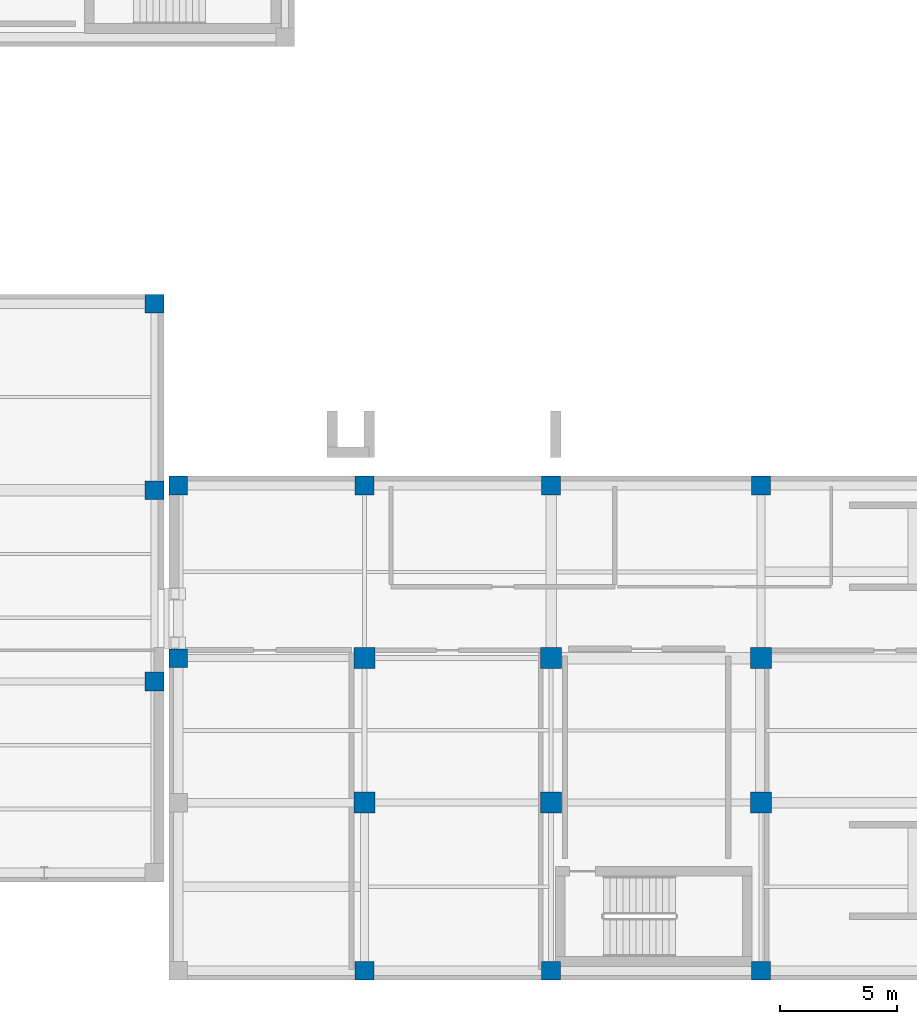
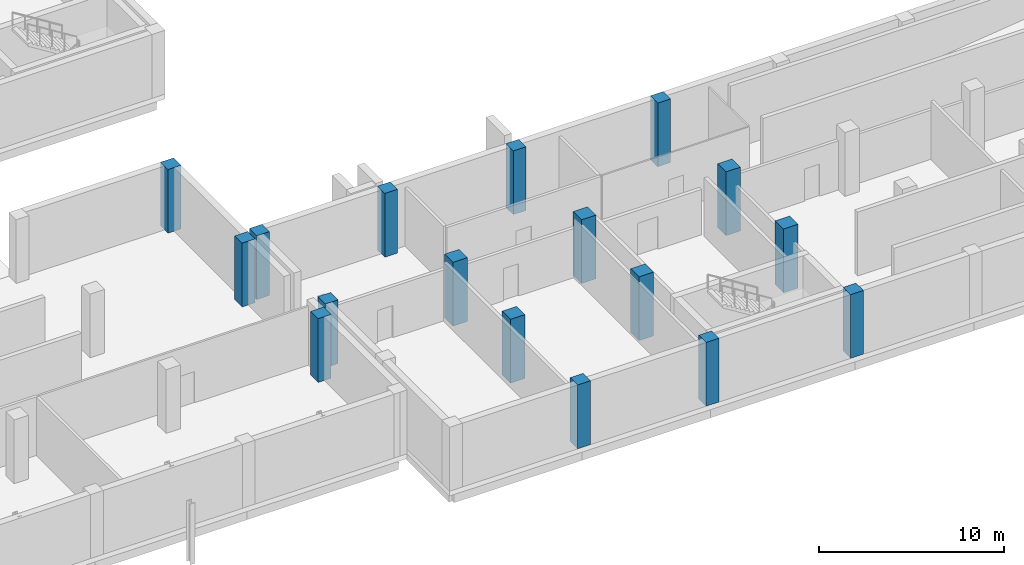
# One storey, part 6 of 31: 17 columns.
"""IFC4 building model written with IfcOpenShell, lengths in metres."""

from ifc_helpers import new_model, si_unit, direction, frame, origin, origin_2d, place, context, subcontext, project, spatial, rectangle, extrude, material, material_profile, profile_set, type_object, element, save


model = new_model("IFC4")

# Units and contexts
model_context = context("Model", 3, precision=1e-05, world=origin(), true_north=direction((0.0, 1.0)))
body_context = subcontext(model_context, "Body", "Model", "MODEL_VIEW")
ifc_project = project(units=[si_unit("LENGTHUNIT", "METRE"), si_unit("AREAUNIT", "SQUARE_METRE"), si_unit("VOLUMEUNIT", "CUBIC_METRE"), si_unit("PLANEANGLEUNIT", "RADIAN"), si_unit("MASSUNIT", "GRAM", prefix="KILO")], contexts=[model_context])

# Site, building, storey
site_placement = place(None, origin())
site = spatial("IfcSite", under=ifc_project, at=site_placement, CompositionType="ELEMENT")
building_placement = place(site_placement, origin())
building = spatial("IfcBuilding", under=site, at=building_placement, Name="Qalavern Law Courts", CompositionType="ELEMENT")
storey_placement = place(building_placement, frame((0.0, 0.0, -4.199951171875)))
storey = spatial("IfcBuildingStorey", under=building, at=storey_placement, Name="B1", CompositionType="ELEMENT", Elevation=-4.199951171875)

# Columns
ifc_material = material(Name="Concrete C45/55", Category="concrete")
ifc_material_profile_1 = material_profile(ifc_material, rectangle(XDim=0.800048828125, YDim=0.800048828125, at=origin_2d()), Name="RC 800x800")
ifc_profile_set_1 = profile_set([ifc_material_profile_1], Name="Concrete C45/55")
column_type_1 = type_object("IfcColumnType", Name="STR-COL-RC800E", PredefinedType="COLUMN", material=ifc_profile_set_1)
for number, where, z_axis, x_axis, name in (
    (1, (100.800048828125, 13.800048828125, 0.0), (0.0, 0.0, 1.0), (1.0, 0.0, 0.0), "V2 column 8-2 B1"),
    (2, (100.800048828125, 22.0, 0.0), (0.0, 0.0, 1.0), (1.0, 0.0, 0.0), "V2 column 8-3 B1"),
    (3, (100.800048828125, 30.0, 0.0), (0.0, 0.0, 1.0), (1.0, 0.0, 0.0), "V2 column 8-4 B1"),
    (4, (101.820068359375, 14.800048828125, 0.0), (0.0, 0.0, 1.0), (1.0, 0.0, 0.0), "V6 column 1-3 B1"),
    (5, (101.820068359375, 22.199951171875, 0.0), (0.0, 0.0, 1.0), (1.0, 0.0, 0.0), "V6 column 1-4 B1"),
    (6, (109.800048828125, 1.39990234375, 0.0), (0.0, 0.0, 1.0), (1.0, 0.0, 0.0), "V6 column 2-1 B1"),
    (7, (109.800048828125, 22.199951171875, 0.0), (0.0, 0.0, 1.0), (1.0, 0.0, 0.0), "V6 column 2-4 B1"),
    (8, (117.800048828125, 1.39990234375, 0.0), (0.0, 0.0, 1.0), (1.0, 0.0, 0.0), "V6 column 3-1 B1"),
    (9, (117.800048828125, 22.199951171875, 0.0), (0.0, 0.0, 1.0), (1.0, 0.0, 0.0), "V6 column 3-4 B1"),
    (10, (126.800048828125, 1.39990234375, 0.0), (0.0, 0.0, 1.0), (1.0, 0.0, 0.0), "V6 column 4-1 B1"),
    (11, (126.800048828125, 22.199951171875, 0.0), (0.0, 0.0, 1.0), (1.0, 0.0, 0.0), "V6 column 4-4 B1"),
):
    element("IfcColumn", number, at=place(storey_placement, frame(where, z_axis=z_axis, x_axis=x_axis)), inside=storey, type_object=column_type_1, Name=name, PredefinedType="COLUMN", context=body_context, shape_type="SweptSolid", body=[
        extrude(rectangle(XDim=0.800048828125, YDim=0.800048828125, at=origin_2d()), origin(), (0.0, 0.0, 1.0), 4.199951171875),
    ])
ifc_material_profile_2 = material_profile(ifc_material, rectangle(XDim=0.89990234375, YDim=0.89990234375, at=origin_2d()), Name="RC 900x900")
ifc_profile_set_2 = profile_set([ifc_material_profile_2], Name="Concrete C45/55")
column_type_2 = type_object("IfcColumnType", Name="STR-COL-RC900", PredefinedType="COLUMN", material=ifc_profile_set_2)
for number, where, z_axis, x_axis, name in (
    (12, (109.800048828125, 8.60009765625, 0.0), (0.0, 0.0, 1.0), (1.0, 0.0, 0.0), "V6 column 2-2 B1"),
    (13, (109.800048828125, 14.800048828125, 0.0), (0.0, 0.0, 1.0), (1.0, 0.0, 0.0), "V6 column 2-3 B1"),
    (14, (117.800048828125, 8.60009765625, 0.0), (0.0, 0.0, 1.0), (1.0, 0.0, 0.0), "V6 column 3-2 B1"),
    (15, (117.800048828125, 14.800048828125, 0.0), (0.0, 0.0, 1.0), (1.0, 0.0, 0.0), "V6 column 3-3 B1"),
    (16, (126.800048828125, 8.60009765625, 0.0), (0.0, 0.0, 1.0), (1.0, 0.0, 0.0), "V6 column 4-2 B1"),
    (17, (126.800048828125, 14.800048828125, 0.0), (0.0, 0.0, 1.0), (1.0, 0.0, 0.0), "V6 column 4-3 B1"),
):
    element("IfcColumn", number, at=place(storey_placement, frame(where, z_axis=z_axis, x_axis=x_axis)), inside=storey, type_object=column_type_2, Name=name, PredefinedType="COLUMN", context=body_context, shape_type="SweptSolid", body=[
        extrude(rectangle(XDim=0.89990234375, YDim=0.89990234375, at=origin_2d()), origin(), (0.0, 0.0, 1.0), 4.199951171875),
    ])

save(model, "model.ifc")
